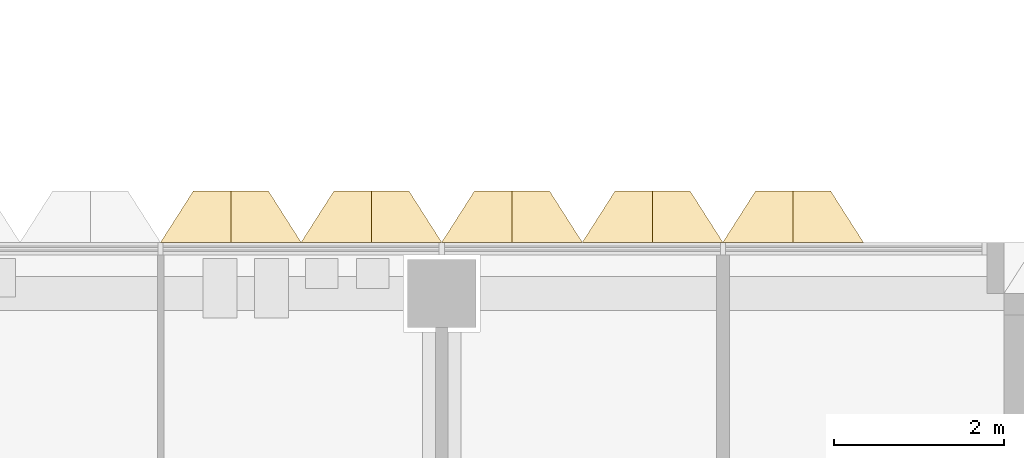
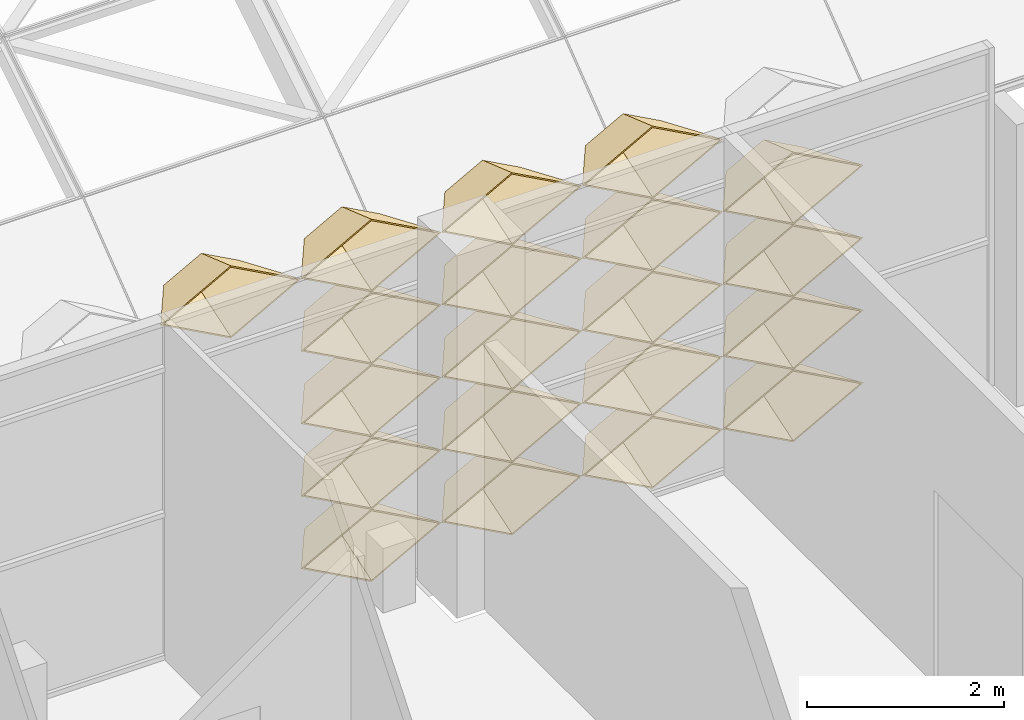
# One storey, part 67 of 85: 20 coverings.
"""IFC4 building model written with IfcOpenShell, lengths in metres."""

from ifc_helpers import new_model, entity, si_unit, direction, frame, origin, place, context, subcontext, project, spatial, material, layer, layer_set, type_object, element, save


model = new_model("IFC4")

# Units and contexts
model_context = context("Model", 3, precision=1e-05, world=origin(), true_north=direction((0.0, 1.0)))
body_context = subcontext(model_context, "Body", "Model", "MODEL_VIEW")
ifc_project = project(units=[si_unit("LENGTHUNIT", "METRE"), si_unit("AREAUNIT", "SQUARE_METRE"), si_unit("VOLUMEUNIT", "CUBIC_METRE"), si_unit("PLANEANGLEUNIT", "RADIAN"), si_unit("MASSUNIT", "GRAM", prefix="KILO")], contexts=[model_context])

# Site, building, storey
site_placement = place(None, origin())
site = spatial("IfcSite", under=ifc_project, at=site_placement, CompositionType="ELEMENT")
building_placement = place(site_placement, origin())
building = spatial("IfcBuilding", under=site, at=building_placement, Name="Lantern Court Research Institute", CompositionType="ELEMENT")
storey_placement = place(building_placement, frame((0.0, 0.0, 18.89990234375)))
storey = spatial("IfcBuildingStorey", under=building, at=storey_placement, Name="L04", CompositionType="ELEMENT", Elevation=18.89990234375)

# Coverings
ifc_material = material(Name="Anodised aluminium", Category="aluminium")
ifc_layer = layer(ifc_material, 0.01611328125)
ifc_layer_set = layer_set([ifc_layer], Name="Anodised aluminium")
covering_type = type_object("IfcCoveringType", Name="Fin cassette 1650 x 900 x 600 aluminium", PredefinedType="CLADDING", material=ifc_layer_set)
covering_1_placement = place(storey_placement, frame((65.175048828125, 23.699951171875, 0.4501953125), z_axis=(0.0, 1.0, 0.0), x_axis=(-1.0, 0.0, 0.0)))
cartesian_point_1 = entity("IfcCartesianPoint", [0.824951171875, 0.0])
cartesian_point_2 = entity("IfcCartesianPoint", [0.79150390625, 0.0])
cartesian_point_3 = entity("IfcCartesianPoint", [0.44189453125, 0.0])
cartesian_point_4 = entity("IfcCartesianPoint", [0.43359375, 0.0])
element("IfcCovering", 1, at=covering_1_placement, inside=storey, type_object=covering_type, Name="Fin cassette V5N-L04 1.40", PredefinedType="CLADDING", context=body_context, shape_type="SweptSolid", body=[
    entity("IfcExtrudedAreaSolidTapered", entity("IfcArbitraryProfileDefWithVoids", "AREA", None, entity("IfcPolyline", [cartesian_point_1, entity("IfcCartesianPoint", [0.0, 0.449951171875]), entity("IfcCartesianPoint", [-0.824951171875, 0.0]), entity("IfcCartesianPoint", [0.0, -0.449951171875]), cartesian_point_1]), [entity("IfcPolyline", [cartesian_point_2, entity("IfcCartesianPoint", [0.0, 0.431884765625]), entity("IfcCartesianPoint", [-0.79150390625, 0.0]), entity("IfcCartesianPoint", [0.0, -0.431884765625]), cartesian_point_2])]), entity("IfcAxis2Placement3D", entity("IfcCartesianPoint", [0.0, 0.0, 0.0])), entity("IfcDirection", [0.0, 0.0, 1.0]), 0.60009765625, entity("IfcArbitraryProfileDefWithVoids", "AREA", None, entity("IfcPolyline", [cartesian_point_3, entity("IfcCartesianPoint", [0.0, 0.240966796875]), entity("IfcCartesianPoint", [-0.44189453125, 0.0]), entity("IfcCartesianPoint", [0.0, -0.240966796875]), cartesian_point_3]), [entity("IfcPolyline", [cartesian_point_4, entity("IfcCartesianPoint", [0.0, 0.236572265625]), entity("IfcCartesianPoint", [-0.43359375, 0.0]), entity("IfcCartesianPoint", [0.0, -0.236572265625]), cartesian_point_4])])),
])
covering_2_placement = place(storey_placement, frame((66.824951171875, 23.699951171875, 0.4501953125), z_axis=(0.0, 1.0, 0.0), x_axis=(-1.0, 0.0, 0.0)))
cartesian_point_5 = entity("IfcCartesianPoint", [0.824951171875, 0.0])
cartesian_point_6 = entity("IfcCartesianPoint", [0.79150390625, 0.0])
cartesian_point_7 = entity("IfcCartesianPoint", [0.44189453125, 0.0])
cartesian_point_8 = entity("IfcCartesianPoint", [0.43359375, 0.0])
element("IfcCovering", 2, at=covering_2_placement, inside=storey, type_object=covering_type, Name="Fin cassette V5N-L04 1.41", PredefinedType="CLADDING", context=body_context, shape_type="SweptSolid", body=[
    entity("IfcExtrudedAreaSolidTapered", entity("IfcArbitraryProfileDefWithVoids", "AREA", None, entity("IfcPolyline", [cartesian_point_5, entity("IfcCartesianPoint", [0.0, 0.449951171875]), entity("IfcCartesianPoint", [-0.824951171875, 0.0]), entity("IfcCartesianPoint", [0.0, -0.449951171875]), cartesian_point_5]), [entity("IfcPolyline", [cartesian_point_6, entity("IfcCartesianPoint", [0.0, 0.431884765625]), entity("IfcCartesianPoint", [-0.79150390625, 0.0]), entity("IfcCartesianPoint", [0.0, -0.431884765625]), cartesian_point_6])]), entity("IfcAxis2Placement3D", entity("IfcCartesianPoint", [0.0, 0.0, 0.0])), entity("IfcDirection", [0.0, 0.0, 1.0]), 0.60009765625, entity("IfcArbitraryProfileDefWithVoids", "AREA", None, entity("IfcPolyline", [cartesian_point_7, entity("IfcCartesianPoint", [0.0, 0.240966796875]), entity("IfcCartesianPoint", [-0.44189453125, 0.0]), entity("IfcCartesianPoint", [0.0, -0.240966796875]), cartesian_point_7]), [entity("IfcPolyline", [cartesian_point_8, entity("IfcCartesianPoint", [0.0, 0.236572265625]), entity("IfcCartesianPoint", [-0.43359375, 0.0]), entity("IfcCartesianPoint", [0.0, -0.236572265625]), cartesian_point_8])])),
])
covering_3_placement = place(storey_placement, frame((68.47509765625, 23.699951171875, 0.4501953125), z_axis=(0.0, 1.0, 0.0), x_axis=(-1.0, 0.0, 0.0)))
cartesian_point_9 = entity("IfcCartesianPoint", [0.824951171875, 0.0])
cartesian_point_10 = entity("IfcCartesianPoint", [0.79150390625, 0.0])
cartesian_point_11 = entity("IfcCartesianPoint", [0.44189453125, 0.0])
cartesian_point_12 = entity("IfcCartesianPoint", [0.43359375, 0.0])
element("IfcCovering", 3, at=covering_3_placement, inside=storey, type_object=covering_type, Name="Fin cassette V5N-L04 1.42", PredefinedType="CLADDING", context=body_context, shape_type="SweptSolid", body=[
    entity("IfcExtrudedAreaSolidTapered", entity("IfcArbitraryProfileDefWithVoids", "AREA", None, entity("IfcPolyline", [cartesian_point_9, entity("IfcCartesianPoint", [0.0, 0.449951171875]), entity("IfcCartesianPoint", [-0.824951171875, 0.0]), entity("IfcCartesianPoint", [0.0, -0.449951171875]), cartesian_point_9]), [entity("IfcPolyline", [cartesian_point_10, entity("IfcCartesianPoint", [0.0, 0.431884765625]), entity("IfcCartesianPoint", [-0.79150390625, 0.0]), entity("IfcCartesianPoint", [0.0, -0.431884765625]), cartesian_point_10])]), entity("IfcAxis2Placement3D", entity("IfcCartesianPoint", [0.0, 0.0, 0.0])), entity("IfcDirection", [0.0, 0.0, 1.0]), 0.60009765625, entity("IfcArbitraryProfileDefWithVoids", "AREA", None, entity("IfcPolyline", [cartesian_point_11, entity("IfcCartesianPoint", [0.0, 0.240966796875]), entity("IfcCartesianPoint", [-0.44189453125, 0.0]), entity("IfcCartesianPoint", [0.0, -0.240966796875]), cartesian_point_11]), [entity("IfcPolyline", [cartesian_point_12, entity("IfcCartesianPoint", [0.0, 0.236572265625]), entity("IfcCartesianPoint", [-0.43359375, 0.0]), entity("IfcCartesianPoint", [0.0, -0.236572265625]), cartesian_point_12])])),
])
covering_4_placement = place(storey_placement, frame((70.125, 23.699951171875, 0.4501953125), z_axis=(0.0, 1.0, 0.0), x_axis=(-1.0, 0.0, 0.0)))
cartesian_point_13 = entity("IfcCartesianPoint", [0.824951171875, 0.0])
cartesian_point_14 = entity("IfcCartesianPoint", [0.79150390625, 0.0])
cartesian_point_15 = entity("IfcCartesianPoint", [0.44189453125, 0.0])
cartesian_point_16 = entity("IfcCartesianPoint", [0.43359375, 0.0])
element("IfcCovering", 4, at=covering_4_placement, inside=storey, type_object=covering_type, Name="Fin cassette V5N-L04 1.43", PredefinedType="CLADDING", context=body_context, shape_type="SweptSolid", body=[
    entity("IfcExtrudedAreaSolidTapered", entity("IfcArbitraryProfileDefWithVoids", "AREA", None, entity("IfcPolyline", [cartesian_point_13, entity("IfcCartesianPoint", [0.0, 0.449951171875]), entity("IfcCartesianPoint", [-0.824951171875, 0.0]), entity("IfcCartesianPoint", [0.0, -0.449951171875]), cartesian_point_13]), [entity("IfcPolyline", [cartesian_point_14, entity("IfcCartesianPoint", [0.0, 0.431884765625]), entity("IfcCartesianPoint", [-0.79150390625, 0.0]), entity("IfcCartesianPoint", [0.0, -0.431884765625]), cartesian_point_14])]), entity("IfcAxis2Placement3D", entity("IfcCartesianPoint", [0.0, 0.0, 0.0])), entity("IfcDirection", [0.0, 0.0, 1.0]), 0.60009765625, entity("IfcArbitraryProfileDefWithVoids", "AREA", None, entity("IfcPolyline", [cartesian_point_15, entity("IfcCartesianPoint", [0.0, 0.240966796875]), entity("IfcCartesianPoint", [-0.44189453125, 0.0]), entity("IfcCartesianPoint", [0.0, -0.240966796875]), cartesian_point_15]), [entity("IfcPolyline", [cartesian_point_16, entity("IfcCartesianPoint", [0.0, 0.236572265625]), entity("IfcCartesianPoint", [-0.43359375, 0.0]), entity("IfcCartesianPoint", [0.0, -0.236572265625]), cartesian_point_16])])),
])
covering_5_placement = place(storey_placement, frame((65.175048828125, 23.699951171875, 1.35009765625), z_axis=(0.0, 1.0, 0.0), x_axis=(-1.0, 0.0, 0.0)))
cartesian_point_17 = entity("IfcCartesianPoint", [0.824951171875, 0.0])
cartesian_point_18 = entity("IfcCartesianPoint", [0.79150390625, 0.0])
cartesian_point_19 = entity("IfcCartesianPoint", [0.44189453125, 0.0])
cartesian_point_20 = entity("IfcCartesianPoint", [0.43359375, 0.0])
element("IfcCovering", 5, at=covering_5_placement, inside=storey, type_object=covering_type, Name="Fin cassette V5N-L04 2.40", PredefinedType="CLADDING", context=body_context, shape_type="SweptSolid", body=[
    entity("IfcExtrudedAreaSolidTapered", entity("IfcArbitraryProfileDefWithVoids", "AREA", None, entity("IfcPolyline", [cartesian_point_17, entity("IfcCartesianPoint", [0.0, 0.449951171875]), entity("IfcCartesianPoint", [-0.824951171875, 0.0]), entity("IfcCartesianPoint", [0.0, -0.449951171875]), cartesian_point_17]), [entity("IfcPolyline", [cartesian_point_18, entity("IfcCartesianPoint", [0.0, 0.431884765625]), entity("IfcCartesianPoint", [-0.79150390625, 0.0]), entity("IfcCartesianPoint", [0.0, -0.431884765625]), cartesian_point_18])]), entity("IfcAxis2Placement3D", entity("IfcCartesianPoint", [0.0, 0.0, 0.0])), entity("IfcDirection", [0.0, 0.0, 1.0]), 0.60009765625, entity("IfcArbitraryProfileDefWithVoids", "AREA", None, entity("IfcPolyline", [cartesian_point_19, entity("IfcCartesianPoint", [0.0, 0.240966796875]), entity("IfcCartesianPoint", [-0.44189453125, 0.0]), entity("IfcCartesianPoint", [0.0, -0.240966796875]), cartesian_point_19]), [entity("IfcPolyline", [cartesian_point_20, entity("IfcCartesianPoint", [0.0, 0.236572265625]), entity("IfcCartesianPoint", [-0.43359375, 0.0]), entity("IfcCartesianPoint", [0.0, -0.236572265625]), cartesian_point_20])])),
])
covering_6_placement = place(storey_placement, frame((66.824951171875, 23.699951171875, 1.35009765625), z_axis=(0.0, 1.0, 0.0), x_axis=(-1.0, 0.0, 0.0)))
cartesian_point_21 = entity("IfcCartesianPoint", [0.824951171875, 0.0])
cartesian_point_22 = entity("IfcCartesianPoint", [0.79150390625, 0.0])
cartesian_point_23 = entity("IfcCartesianPoint", [0.44189453125, 0.0])
cartesian_point_24 = entity("IfcCartesianPoint", [0.43359375, 0.0])
element("IfcCovering", 6, at=covering_6_placement, inside=storey, type_object=covering_type, Name="Fin cassette V5N-L04 2.41", PredefinedType="CLADDING", context=body_context, shape_type="SweptSolid", body=[
    entity("IfcExtrudedAreaSolidTapered", entity("IfcArbitraryProfileDefWithVoids", "AREA", None, entity("IfcPolyline", [cartesian_point_21, entity("IfcCartesianPoint", [0.0, 0.449951171875]), entity("IfcCartesianPoint", [-0.824951171875, 0.0]), entity("IfcCartesianPoint", [0.0, -0.449951171875]), cartesian_point_21]), [entity("IfcPolyline", [cartesian_point_22, entity("IfcCartesianPoint", [0.0, 0.431884765625]), entity("IfcCartesianPoint", [-0.79150390625, 0.0]), entity("IfcCartesianPoint", [0.0, -0.431884765625]), cartesian_point_22])]), entity("IfcAxis2Placement3D", entity("IfcCartesianPoint", [0.0, 0.0, 0.0])), entity("IfcDirection", [0.0, 0.0, 1.0]), 0.60009765625, entity("IfcArbitraryProfileDefWithVoids", "AREA", None, entity("IfcPolyline", [cartesian_point_23, entity("IfcCartesianPoint", [0.0, 0.240966796875]), entity("IfcCartesianPoint", [-0.44189453125, 0.0]), entity("IfcCartesianPoint", [0.0, -0.240966796875]), cartesian_point_23]), [entity("IfcPolyline", [cartesian_point_24, entity("IfcCartesianPoint", [0.0, 0.236572265625]), entity("IfcCartesianPoint", [-0.43359375, 0.0]), entity("IfcCartesianPoint", [0.0, -0.236572265625]), cartesian_point_24])])),
])
covering_7_placement = place(storey_placement, frame((68.47509765625, 23.699951171875, 1.35009765625), z_axis=(0.0, 1.0, 0.0), x_axis=(-1.0, 0.0, 0.0)))
cartesian_point_25 = entity("IfcCartesianPoint", [0.824951171875, 0.0])
cartesian_point_26 = entity("IfcCartesianPoint", [0.79150390625, 0.0])
cartesian_point_27 = entity("IfcCartesianPoint", [0.44189453125, 0.0])
cartesian_point_28 = entity("IfcCartesianPoint", [0.43359375, 0.0])
element("IfcCovering", 7, at=covering_7_placement, inside=storey, type_object=covering_type, Name="Fin cassette V5N-L04 2.42", PredefinedType="CLADDING", context=body_context, shape_type="SweptSolid", body=[
    entity("IfcExtrudedAreaSolidTapered", entity("IfcArbitraryProfileDefWithVoids", "AREA", None, entity("IfcPolyline", [cartesian_point_25, entity("IfcCartesianPoint", [0.0, 0.449951171875]), entity("IfcCartesianPoint", [-0.824951171875, 0.0]), entity("IfcCartesianPoint", [0.0, -0.449951171875]), cartesian_point_25]), [entity("IfcPolyline", [cartesian_point_26, entity("IfcCartesianPoint", [0.0, 0.431884765625]), entity("IfcCartesianPoint", [-0.79150390625, 0.0]), entity("IfcCartesianPoint", [0.0, -0.431884765625]), cartesian_point_26])]), entity("IfcAxis2Placement3D", entity("IfcCartesianPoint", [0.0, 0.0, 0.0])), entity("IfcDirection", [0.0, 0.0, 1.0]), 0.60009765625, entity("IfcArbitraryProfileDefWithVoids", "AREA", None, entity("IfcPolyline", [cartesian_point_27, entity("IfcCartesianPoint", [0.0, 0.240966796875]), entity("IfcCartesianPoint", [-0.44189453125, 0.0]), entity("IfcCartesianPoint", [0.0, -0.240966796875]), cartesian_point_27]), [entity("IfcPolyline", [cartesian_point_28, entity("IfcCartesianPoint", [0.0, 0.236572265625]), entity("IfcCartesianPoint", [-0.43359375, 0.0]), entity("IfcCartesianPoint", [0.0, -0.236572265625]), cartesian_point_28])])),
])
covering_8_placement = place(storey_placement, frame((70.125, 23.699951171875, 1.35009765625), z_axis=(0.0, 1.0, 0.0), x_axis=(-1.0, 0.0, 0.0)))
cartesian_point_29 = entity("IfcCartesianPoint", [0.824951171875, 0.0])
cartesian_point_30 = entity("IfcCartesianPoint", [0.79150390625, 0.0])
cartesian_point_31 = entity("IfcCartesianPoint", [0.44189453125, 0.0])
cartesian_point_32 = entity("IfcCartesianPoint", [0.43359375, 0.0])
element("IfcCovering", 8, at=covering_8_placement, inside=storey, type_object=covering_type, Name="Fin cassette V5N-L04 2.43", PredefinedType="CLADDING", context=body_context, shape_type="SweptSolid", body=[
    entity("IfcExtrudedAreaSolidTapered", entity("IfcArbitraryProfileDefWithVoids", "AREA", None, entity("IfcPolyline", [cartesian_point_29, entity("IfcCartesianPoint", [0.0, 0.449951171875]), entity("IfcCartesianPoint", [-0.824951171875, 0.0]), entity("IfcCartesianPoint", [0.0, -0.449951171875]), cartesian_point_29]), [entity("IfcPolyline", [cartesian_point_30, entity("IfcCartesianPoint", [0.0, 0.431884765625]), entity("IfcCartesianPoint", [-0.79150390625, 0.0]), entity("IfcCartesianPoint", [0.0, -0.431884765625]), cartesian_point_30])]), entity("IfcAxis2Placement3D", entity("IfcCartesianPoint", [0.0, 0.0, 0.0])), entity("IfcDirection", [0.0, 0.0, 1.0]), 0.60009765625, entity("IfcArbitraryProfileDefWithVoids", "AREA", None, entity("IfcPolyline", [cartesian_point_31, entity("IfcCartesianPoint", [0.0, 0.240966796875]), entity("IfcCartesianPoint", [-0.44189453125, 0.0]), entity("IfcCartesianPoint", [0.0, -0.240966796875]), cartesian_point_31]), [entity("IfcPolyline", [cartesian_point_32, entity("IfcCartesianPoint", [0.0, 0.236572265625]), entity("IfcCartesianPoint", [-0.43359375, 0.0]), entity("IfcCartesianPoint", [0.0, -0.236572265625]), cartesian_point_32])])),
])
covering_9_placement = place(storey_placement, frame((65.175048828125, 23.699951171875, 2.25), z_axis=(0.0, 1.0, 0.0), x_axis=(-1.0, 0.0, 0.0)))
cartesian_point_33 = entity("IfcCartesianPoint", [0.824951171875, 0.0])
cartesian_point_34 = entity("IfcCartesianPoint", [0.79150390625, 0.0])
cartesian_point_35 = entity("IfcCartesianPoint", [0.44189453125, 0.0])
cartesian_point_36 = entity("IfcCartesianPoint", [0.43359375, 0.0])
element("IfcCovering", 9, at=covering_9_placement, inside=storey, type_object=covering_type, Name="Fin cassette V5N-L04 3.40", PredefinedType="CLADDING", context=body_context, shape_type="SweptSolid", body=[
    entity("IfcExtrudedAreaSolidTapered", entity("IfcArbitraryProfileDefWithVoids", "AREA", None, entity("IfcPolyline", [cartesian_point_33, entity("IfcCartesianPoint", [0.0, 0.449951171875]), entity("IfcCartesianPoint", [-0.824951171875, 0.0]), entity("IfcCartesianPoint", [0.0, -0.449951171875]), cartesian_point_33]), [entity("IfcPolyline", [cartesian_point_34, entity("IfcCartesianPoint", [0.0, 0.431884765625]), entity("IfcCartesianPoint", [-0.79150390625, 0.0]), entity("IfcCartesianPoint", [0.0, -0.431884765625]), cartesian_point_34])]), entity("IfcAxis2Placement3D", entity("IfcCartesianPoint", [0.0, 0.0, 0.0])), entity("IfcDirection", [0.0, 0.0, 1.0]), 0.60009765625, entity("IfcArbitraryProfileDefWithVoids", "AREA", None, entity("IfcPolyline", [cartesian_point_35, entity("IfcCartesianPoint", [0.0, 0.240966796875]), entity("IfcCartesianPoint", [-0.44189453125, 0.0]), entity("IfcCartesianPoint", [0.0, -0.240966796875]), cartesian_point_35]), [entity("IfcPolyline", [cartesian_point_36, entity("IfcCartesianPoint", [0.0, 0.236572265625]), entity("IfcCartesianPoint", [-0.43359375, 0.0]), entity("IfcCartesianPoint", [0.0, -0.236572265625]), cartesian_point_36])])),
])
covering_10_placement = place(storey_placement, frame((66.824951171875, 23.699951171875, 2.25), z_axis=(0.0, 1.0, 0.0), x_axis=(-1.0, 0.0, 0.0)))
cartesian_point_37 = entity("IfcCartesianPoint", [0.824951171875, 0.0])
cartesian_point_38 = entity("IfcCartesianPoint", [0.79150390625, 0.0])
cartesian_point_39 = entity("IfcCartesianPoint", [0.44189453125, 0.0])
cartesian_point_40 = entity("IfcCartesianPoint", [0.43359375, 0.0])
element("IfcCovering", 10, at=covering_10_placement, inside=storey, type_object=covering_type, Name="Fin cassette V5N-L04 3.41", PredefinedType="CLADDING", context=body_context, shape_type="SweptSolid", body=[
    entity("IfcExtrudedAreaSolidTapered", entity("IfcArbitraryProfileDefWithVoids", "AREA", None, entity("IfcPolyline", [cartesian_point_37, entity("IfcCartesianPoint", [0.0, 0.449951171875]), entity("IfcCartesianPoint", [-0.824951171875, 0.0]), entity("IfcCartesianPoint", [0.0, -0.449951171875]), cartesian_point_37]), [entity("IfcPolyline", [cartesian_point_38, entity("IfcCartesianPoint", [0.0, 0.431884765625]), entity("IfcCartesianPoint", [-0.79150390625, 0.0]), entity("IfcCartesianPoint", [0.0, -0.431884765625]), cartesian_point_38])]), entity("IfcAxis2Placement3D", entity("IfcCartesianPoint", [0.0, 0.0, 0.0])), entity("IfcDirection", [0.0, 0.0, 1.0]), 0.60009765625, entity("IfcArbitraryProfileDefWithVoids", "AREA", None, entity("IfcPolyline", [cartesian_point_39, entity("IfcCartesianPoint", [0.0, 0.240966796875]), entity("IfcCartesianPoint", [-0.44189453125, 0.0]), entity("IfcCartesianPoint", [0.0, -0.240966796875]), cartesian_point_39]), [entity("IfcPolyline", [cartesian_point_40, entity("IfcCartesianPoint", [0.0, 0.236572265625]), entity("IfcCartesianPoint", [-0.43359375, 0.0]), entity("IfcCartesianPoint", [0.0, -0.236572265625]), cartesian_point_40])])),
])
covering_11_placement = place(storey_placement, frame((68.47509765625, 23.699951171875, 2.25), z_axis=(0.0, 1.0, 0.0), x_axis=(-1.0, 0.0, 0.0)))
cartesian_point_41 = entity("IfcCartesianPoint", [0.824951171875, 0.0])
cartesian_point_42 = entity("IfcCartesianPoint", [0.79150390625, 0.0])
cartesian_point_43 = entity("IfcCartesianPoint", [0.44189453125, 0.0])
cartesian_point_44 = entity("IfcCartesianPoint", [0.43359375, 0.0])
element("IfcCovering", 11, at=covering_11_placement, inside=storey, type_object=covering_type, Name="Fin cassette V5N-L04 3.42", PredefinedType="CLADDING", context=body_context, shape_type="SweptSolid", body=[
    entity("IfcExtrudedAreaSolidTapered", entity("IfcArbitraryProfileDefWithVoids", "AREA", None, entity("IfcPolyline", [cartesian_point_41, entity("IfcCartesianPoint", [0.0, 0.449951171875]), entity("IfcCartesianPoint", [-0.824951171875, 0.0]), entity("IfcCartesianPoint", [0.0, -0.449951171875]), cartesian_point_41]), [entity("IfcPolyline", [cartesian_point_42, entity("IfcCartesianPoint", [0.0, 0.431884765625]), entity("IfcCartesianPoint", [-0.79150390625, 0.0]), entity("IfcCartesianPoint", [0.0, -0.431884765625]), cartesian_point_42])]), entity("IfcAxis2Placement3D", entity("IfcCartesianPoint", [0.0, 0.0, 0.0])), entity("IfcDirection", [0.0, 0.0, 1.0]), 0.60009765625, entity("IfcArbitraryProfileDefWithVoids", "AREA", None, entity("IfcPolyline", [cartesian_point_43, entity("IfcCartesianPoint", [0.0, 0.240966796875]), entity("IfcCartesianPoint", [-0.44189453125, 0.0]), entity("IfcCartesianPoint", [0.0, -0.240966796875]), cartesian_point_43]), [entity("IfcPolyline", [cartesian_point_44, entity("IfcCartesianPoint", [0.0, 0.236572265625]), entity("IfcCartesianPoint", [-0.43359375, 0.0]), entity("IfcCartesianPoint", [0.0, -0.236572265625]), cartesian_point_44])])),
])
covering_12_placement = place(storey_placement, frame((70.125, 23.699951171875, 2.25), z_axis=(0.0, 1.0, 0.0), x_axis=(-1.0, 0.0, 0.0)))
cartesian_point_45 = entity("IfcCartesianPoint", [0.824951171875, 0.0])
cartesian_point_46 = entity("IfcCartesianPoint", [0.79150390625, 0.0])
cartesian_point_47 = entity("IfcCartesianPoint", [0.44189453125, 0.0])
cartesian_point_48 = entity("IfcCartesianPoint", [0.43359375, 0.0])
element("IfcCovering", 12, at=covering_12_placement, inside=storey, type_object=covering_type, Name="Fin cassette V5N-L04 3.43", PredefinedType="CLADDING", context=body_context, shape_type="SweptSolid", body=[
    entity("IfcExtrudedAreaSolidTapered", entity("IfcArbitraryProfileDefWithVoids", "AREA", None, entity("IfcPolyline", [cartesian_point_45, entity("IfcCartesianPoint", [0.0, 0.449951171875]), entity("IfcCartesianPoint", [-0.824951171875, 0.0]), entity("IfcCartesianPoint", [0.0, -0.449951171875]), cartesian_point_45]), [entity("IfcPolyline", [cartesian_point_46, entity("IfcCartesianPoint", [0.0, 0.431884765625]), entity("IfcCartesianPoint", [-0.79150390625, 0.0]), entity("IfcCartesianPoint", [0.0, -0.431884765625]), cartesian_point_46])]), entity("IfcAxis2Placement3D", entity("IfcCartesianPoint", [0.0, 0.0, 0.0])), entity("IfcDirection", [0.0, 0.0, 1.0]), 0.60009765625, entity("IfcArbitraryProfileDefWithVoids", "AREA", None, entity("IfcPolyline", [cartesian_point_47, entity("IfcCartesianPoint", [0.0, 0.240966796875]), entity("IfcCartesianPoint", [-0.44189453125, 0.0]), entity("IfcCartesianPoint", [0.0, -0.240966796875]), cartesian_point_47]), [entity("IfcPolyline", [cartesian_point_48, entity("IfcCartesianPoint", [0.0, 0.236572265625]), entity("IfcCartesianPoint", [-0.43359375, 0.0]), entity("IfcCartesianPoint", [0.0, -0.236572265625]), cartesian_point_48])])),
])
covering_13_placement = place(storey_placement, frame((65.175048828125, 23.699951171875, 3.150146484375), z_axis=(0.0, 1.0, 0.0), x_axis=(-1.0, 0.0, 0.0)))
cartesian_point_49 = entity("IfcCartesianPoint", [0.824951171875, 0.0])
cartesian_point_50 = entity("IfcCartesianPoint", [0.79150390625, 0.0])
cartesian_point_51 = entity("IfcCartesianPoint", [0.44189453125, 0.0])
cartesian_point_52 = entity("IfcCartesianPoint", [0.43359375, 0.0])
element("IfcCovering", 13, at=covering_13_placement, inside=storey, type_object=covering_type, Name="Fin cassette V5N-L04 4.40", PredefinedType="CLADDING", context=body_context, shape_type="SweptSolid", body=[
    entity("IfcExtrudedAreaSolidTapered", entity("IfcArbitraryProfileDefWithVoids", "AREA", None, entity("IfcPolyline", [cartesian_point_49, entity("IfcCartesianPoint", [0.0, 0.449951171875]), entity("IfcCartesianPoint", [-0.824951171875, 0.0]), entity("IfcCartesianPoint", [0.0, -0.449951171875]), cartesian_point_49]), [entity("IfcPolyline", [cartesian_point_50, entity("IfcCartesianPoint", [0.0, 0.431884765625]), entity("IfcCartesianPoint", [-0.79150390625, 0.0]), entity("IfcCartesianPoint", [0.0, -0.431884765625]), cartesian_point_50])]), entity("IfcAxis2Placement3D", entity("IfcCartesianPoint", [0.0, 0.0, 0.0])), entity("IfcDirection", [0.0, 0.0, 1.0]), 0.60009765625, entity("IfcArbitraryProfileDefWithVoids", "AREA", None, entity("IfcPolyline", [cartesian_point_51, entity("IfcCartesianPoint", [0.0, 0.240966796875]), entity("IfcCartesianPoint", [-0.44189453125, 0.0]), entity("IfcCartesianPoint", [0.0, -0.240966796875]), cartesian_point_51]), [entity("IfcPolyline", [cartesian_point_52, entity("IfcCartesianPoint", [0.0, 0.236572265625]), entity("IfcCartesianPoint", [-0.43359375, 0.0]), entity("IfcCartesianPoint", [0.0, -0.236572265625]), cartesian_point_52])])),
])
covering_14_placement = place(storey_placement, frame((66.824951171875, 23.699951171875, 3.150146484375), z_axis=(0.0, 1.0, 0.0), x_axis=(-1.0, 0.0, 0.0)))
cartesian_point_53 = entity("IfcCartesianPoint", [0.824951171875, 0.0])
cartesian_point_54 = entity("IfcCartesianPoint", [0.79150390625, 0.0])
cartesian_point_55 = entity("IfcCartesianPoint", [0.44189453125, 0.0])
cartesian_point_56 = entity("IfcCartesianPoint", [0.43359375, 0.0])
element("IfcCovering", 14, at=covering_14_placement, inside=storey, type_object=covering_type, Name="Fin cassette V5N-L04 4.41", PredefinedType="CLADDING", context=body_context, shape_type="SweptSolid", body=[
    entity("IfcExtrudedAreaSolidTapered", entity("IfcArbitraryProfileDefWithVoids", "AREA", None, entity("IfcPolyline", [cartesian_point_53, entity("IfcCartesianPoint", [0.0, 0.449951171875]), entity("IfcCartesianPoint", [-0.824951171875, 0.0]), entity("IfcCartesianPoint", [0.0, -0.449951171875]), cartesian_point_53]), [entity("IfcPolyline", [cartesian_point_54, entity("IfcCartesianPoint", [0.0, 0.431884765625]), entity("IfcCartesianPoint", [-0.79150390625, 0.0]), entity("IfcCartesianPoint", [0.0, -0.431884765625]), cartesian_point_54])]), entity("IfcAxis2Placement3D", entity("IfcCartesianPoint", [0.0, 0.0, 0.0])), entity("IfcDirection", [0.0, 0.0, 1.0]), 0.60009765625, entity("IfcArbitraryProfileDefWithVoids", "AREA", None, entity("IfcPolyline", [cartesian_point_55, entity("IfcCartesianPoint", [0.0, 0.240966796875]), entity("IfcCartesianPoint", [-0.44189453125, 0.0]), entity("IfcCartesianPoint", [0.0, -0.240966796875]), cartesian_point_55]), [entity("IfcPolyline", [cartesian_point_56, entity("IfcCartesianPoint", [0.0, 0.236572265625]), entity("IfcCartesianPoint", [-0.43359375, 0.0]), entity("IfcCartesianPoint", [0.0, -0.236572265625]), cartesian_point_56])])),
])
covering_15_placement = place(storey_placement, frame((68.47509765625, 23.699951171875, 3.150146484375), z_axis=(0.0, 1.0, 0.0), x_axis=(-1.0, 0.0, 0.0)))
cartesian_point_57 = entity("IfcCartesianPoint", [0.824951171875, 0.0])
cartesian_point_58 = entity("IfcCartesianPoint", [0.79150390625, 0.0])
cartesian_point_59 = entity("IfcCartesianPoint", [0.44189453125, 0.0])
cartesian_point_60 = entity("IfcCartesianPoint", [0.43359375, 0.0])
element("IfcCovering", 15, at=covering_15_placement, inside=storey, type_object=covering_type, Name="Fin cassette V5N-L04 4.42", PredefinedType="CLADDING", context=body_context, shape_type="SweptSolid", body=[
    entity("IfcExtrudedAreaSolidTapered", entity("IfcArbitraryProfileDefWithVoids", "AREA", None, entity("IfcPolyline", [cartesian_point_57, entity("IfcCartesianPoint", [0.0, 0.449951171875]), entity("IfcCartesianPoint", [-0.824951171875, 0.0]), entity("IfcCartesianPoint", [0.0, -0.449951171875]), cartesian_point_57]), [entity("IfcPolyline", [cartesian_point_58, entity("IfcCartesianPoint", [0.0, 0.431884765625]), entity("IfcCartesianPoint", [-0.79150390625, 0.0]), entity("IfcCartesianPoint", [0.0, -0.431884765625]), cartesian_point_58])]), entity("IfcAxis2Placement3D", entity("IfcCartesianPoint", [0.0, 0.0, 0.0])), entity("IfcDirection", [0.0, 0.0, 1.0]), 0.60009765625, entity("IfcArbitraryProfileDefWithVoids", "AREA", None, entity("IfcPolyline", [cartesian_point_59, entity("IfcCartesianPoint", [0.0, 0.240966796875]), entity("IfcCartesianPoint", [-0.44189453125, 0.0]), entity("IfcCartesianPoint", [0.0, -0.240966796875]), cartesian_point_59]), [entity("IfcPolyline", [cartesian_point_60, entity("IfcCartesianPoint", [0.0, 0.236572265625]), entity("IfcCartesianPoint", [-0.43359375, 0.0]), entity("IfcCartesianPoint", [0.0, -0.236572265625]), cartesian_point_60])])),
])
covering_16_placement = place(storey_placement, frame((70.125, 23.699951171875, 3.150146484375), z_axis=(0.0, 1.0, 0.0), x_axis=(-1.0, 0.0, 0.0)))
cartesian_point_61 = entity("IfcCartesianPoint", [0.824951171875, 0.0])
cartesian_point_62 = entity("IfcCartesianPoint", [0.79150390625, 0.0])
cartesian_point_63 = entity("IfcCartesianPoint", [0.44189453125, 0.0])
cartesian_point_64 = entity("IfcCartesianPoint", [0.43359375, 0.0])
element("IfcCovering", 16, at=covering_16_placement, inside=storey, type_object=covering_type, Name="Fin cassette V5N-L04 4.43", PredefinedType="CLADDING", context=body_context, shape_type="SweptSolid", body=[
    entity("IfcExtrudedAreaSolidTapered", entity("IfcArbitraryProfileDefWithVoids", "AREA", None, entity("IfcPolyline", [cartesian_point_61, entity("IfcCartesianPoint", [0.0, 0.449951171875]), entity("IfcCartesianPoint", [-0.824951171875, 0.0]), entity("IfcCartesianPoint", [0.0, -0.449951171875]), cartesian_point_61]), [entity("IfcPolyline", [cartesian_point_62, entity("IfcCartesianPoint", [0.0, 0.431884765625]), entity("IfcCartesianPoint", [-0.79150390625, 0.0]), entity("IfcCartesianPoint", [0.0, -0.431884765625]), cartesian_point_62])]), entity("IfcAxis2Placement3D", entity("IfcCartesianPoint", [0.0, 0.0, 0.0])), entity("IfcDirection", [0.0, 0.0, 1.0]), 0.60009765625, entity("IfcArbitraryProfileDefWithVoids", "AREA", None, entity("IfcPolyline", [cartesian_point_63, entity("IfcCartesianPoint", [0.0, 0.240966796875]), entity("IfcCartesianPoint", [-0.44189453125, 0.0]), entity("IfcCartesianPoint", [0.0, -0.240966796875]), cartesian_point_63]), [entity("IfcPolyline", [cartesian_point_64, entity("IfcCartesianPoint", [0.0, 0.236572265625]), entity("IfcCartesianPoint", [-0.43359375, 0.0]), entity("IfcCartesianPoint", [0.0, -0.236572265625]), cartesian_point_64])])),
])
covering_17_placement = place(storey_placement, frame((63.52490234375, 23.699951171875, 4.050048828125), z_axis=(0.0, 1.0, 0.0), x_axis=(-1.0, 0.0, 0.0)))
cartesian_point_65 = entity("IfcCartesianPoint", [0.824951171875, 0.0])
cartesian_point_66 = entity("IfcCartesianPoint", [0.79150390625, 0.0])
cartesian_point_67 = entity("IfcCartesianPoint", [0.44189453125, 0.0])
cartesian_point_68 = entity("IfcCartesianPoint", [0.43359375, 0.0])
element("IfcCovering", 17, at=covering_17_placement, inside=storey, type_object=covering_type, Name="Fin cassette V5N-L04 5.39", PredefinedType="CLADDING", context=body_context, shape_type="SweptSolid", body=[
    entity("IfcExtrudedAreaSolidTapered", entity("IfcArbitraryProfileDefWithVoids", "AREA", None, entity("IfcPolyline", [cartesian_point_65, entity("IfcCartesianPoint", [0.0, 0.449951171875]), entity("IfcCartesianPoint", [-0.824951171875, 0.0]), entity("IfcCartesianPoint", [0.0, -0.449951171875]), cartesian_point_65]), [entity("IfcPolyline", [cartesian_point_66, entity("IfcCartesianPoint", [0.0, 0.431884765625]), entity("IfcCartesianPoint", [-0.79150390625, 0.0]), entity("IfcCartesianPoint", [0.0, -0.431884765625]), cartesian_point_66])]), entity("IfcAxis2Placement3D", entity("IfcCartesianPoint", [0.0, 0.0, 0.0])), entity("IfcDirection", [0.0, 0.0, 1.0]), 0.60009765625, entity("IfcArbitraryProfileDefWithVoids", "AREA", None, entity("IfcPolyline", [cartesian_point_67, entity("IfcCartesianPoint", [0.0, 0.240966796875]), entity("IfcCartesianPoint", [-0.44189453125, 0.0]), entity("IfcCartesianPoint", [0.0, -0.240966796875]), cartesian_point_67]), [entity("IfcPolyline", [cartesian_point_68, entity("IfcCartesianPoint", [0.0, 0.236572265625]), entity("IfcCartesianPoint", [-0.43359375, 0.0]), entity("IfcCartesianPoint", [0.0, -0.236572265625]), cartesian_point_68])])),
])
covering_18_placement = place(storey_placement, frame((65.175048828125, 23.699951171875, 4.050048828125), z_axis=(0.0, 1.0, 0.0), x_axis=(-1.0, 0.0, 0.0)))
cartesian_point_69 = entity("IfcCartesianPoint", [0.824951171875, 0.0])
cartesian_point_70 = entity("IfcCartesianPoint", [0.79150390625, 0.0])
cartesian_point_71 = entity("IfcCartesianPoint", [0.44189453125, 0.0])
cartesian_point_72 = entity("IfcCartesianPoint", [0.43359375, 0.0])
element("IfcCovering", 18, at=covering_18_placement, inside=storey, type_object=covering_type, Name="Fin cassette V5N-L04 5.40", PredefinedType="CLADDING", context=body_context, shape_type="SweptSolid", body=[
    entity("IfcExtrudedAreaSolidTapered", entity("IfcArbitraryProfileDefWithVoids", "AREA", None, entity("IfcPolyline", [cartesian_point_69, entity("IfcCartesianPoint", [0.0, 0.449951171875]), entity("IfcCartesianPoint", [-0.824951171875, 0.0]), entity("IfcCartesianPoint", [0.0, -0.449951171875]), cartesian_point_69]), [entity("IfcPolyline", [cartesian_point_70, entity("IfcCartesianPoint", [0.0, 0.431884765625]), entity("IfcCartesianPoint", [-0.79150390625, 0.0]), entity("IfcCartesianPoint", [0.0, -0.431884765625]), cartesian_point_70])]), entity("IfcAxis2Placement3D", entity("IfcCartesianPoint", [0.0, 0.0, 0.0])), entity("IfcDirection", [0.0, 0.0, 1.0]), 0.60009765625, entity("IfcArbitraryProfileDefWithVoids", "AREA", None, entity("IfcPolyline", [cartesian_point_71, entity("IfcCartesianPoint", [0.0, 0.240966796875]), entity("IfcCartesianPoint", [-0.44189453125, 0.0]), entity("IfcCartesianPoint", [0.0, -0.240966796875]), cartesian_point_71]), [entity("IfcPolyline", [cartesian_point_72, entity("IfcCartesianPoint", [0.0, 0.236572265625]), entity("IfcCartesianPoint", [-0.43359375, 0.0]), entity("IfcCartesianPoint", [0.0, -0.236572265625]), cartesian_point_72])])),
])
covering_19_placement = place(storey_placement, frame((66.824951171875, 23.699951171875, 4.050048828125), z_axis=(0.0, 1.0, 0.0), x_axis=(-1.0, 0.0, 0.0)))
cartesian_point_73 = entity("IfcCartesianPoint", [0.824951171875, 0.0])
cartesian_point_74 = entity("IfcCartesianPoint", [0.79150390625, 0.0])
cartesian_point_75 = entity("IfcCartesianPoint", [0.44189453125, 0.0])
cartesian_point_76 = entity("IfcCartesianPoint", [0.43359375, 0.0])
element("IfcCovering", 19, at=covering_19_placement, inside=storey, type_object=covering_type, Name="Fin cassette V5N-L04 5.41", PredefinedType="CLADDING", context=body_context, shape_type="SweptSolid", body=[
    entity("IfcExtrudedAreaSolidTapered", entity("IfcArbitraryProfileDefWithVoids", "AREA", None, entity("IfcPolyline", [cartesian_point_73, entity("IfcCartesianPoint", [0.0, 0.449951171875]), entity("IfcCartesianPoint", [-0.824951171875, 0.0]), entity("IfcCartesianPoint", [0.0, -0.449951171875]), cartesian_point_73]), [entity("IfcPolyline", [cartesian_point_74, entity("IfcCartesianPoint", [0.0, 0.431884765625]), entity("IfcCartesianPoint", [-0.79150390625, 0.0]), entity("IfcCartesianPoint", [0.0, -0.431884765625]), cartesian_point_74])]), entity("IfcAxis2Placement3D", entity("IfcCartesianPoint", [0.0, 0.0, 0.0])), entity("IfcDirection", [0.0, 0.0, 1.0]), 0.60009765625, entity("IfcArbitraryProfileDefWithVoids", "AREA", None, entity("IfcPolyline", [cartesian_point_75, entity("IfcCartesianPoint", [0.0, 0.240966796875]), entity("IfcCartesianPoint", [-0.44189453125, 0.0]), entity("IfcCartesianPoint", [0.0, -0.240966796875]), cartesian_point_75]), [entity("IfcPolyline", [cartesian_point_76, entity("IfcCartesianPoint", [0.0, 0.236572265625]), entity("IfcCartesianPoint", [-0.43359375, 0.0]), entity("IfcCartesianPoint", [0.0, -0.236572265625]), cartesian_point_76])])),
])
covering_20_placement = place(storey_placement, frame((68.47509765625, 23.699951171875, 4.050048828125), z_axis=(0.0, 1.0, 0.0), x_axis=(-1.0, 0.0, 0.0)))
cartesian_point_77 = entity("IfcCartesianPoint", [0.824951171875, 0.0])
cartesian_point_78 = entity("IfcCartesianPoint", [0.79150390625, 0.0])
cartesian_point_79 = entity("IfcCartesianPoint", [0.44189453125, 0.0])
cartesian_point_80 = entity("IfcCartesianPoint", [0.43359375, 0.0])
element("IfcCovering", 20, at=covering_20_placement, inside=storey, type_object=covering_type, Name="Fin cassette V5N-L04 5.42", PredefinedType="CLADDING", context=body_context, shape_type="SweptSolid", body=[
    entity("IfcExtrudedAreaSolidTapered", entity("IfcArbitraryProfileDefWithVoids", "AREA", None, entity("IfcPolyline", [cartesian_point_77, entity("IfcCartesianPoint", [0.0, 0.449951171875]), entity("IfcCartesianPoint", [-0.824951171875, 0.0]), entity("IfcCartesianPoint", [0.0, -0.449951171875]), cartesian_point_77]), [entity("IfcPolyline", [cartesian_point_78, entity("IfcCartesianPoint", [0.0, 0.431884765625]), entity("IfcCartesianPoint", [-0.79150390625, 0.0]), entity("IfcCartesianPoint", [0.0, -0.431884765625]), cartesian_point_78])]), entity("IfcAxis2Placement3D", entity("IfcCartesianPoint", [0.0, 0.0, 0.0])), entity("IfcDirection", [0.0, 0.0, 1.0]), 0.60009765625, entity("IfcArbitraryProfileDefWithVoids", "AREA", None, entity("IfcPolyline", [cartesian_point_79, entity("IfcCartesianPoint", [0.0, 0.240966796875]), entity("IfcCartesianPoint", [-0.44189453125, 0.0]), entity("IfcCartesianPoint", [0.0, -0.240966796875]), cartesian_point_79]), [entity("IfcPolyline", [cartesian_point_80, entity("IfcCartesianPoint", [0.0, 0.236572265625]), entity("IfcCartesianPoint", [-0.43359375, 0.0]), entity("IfcCartesianPoint", [0.0, -0.236572265625]), cartesian_point_80])])),
])

save(model, "model.ifc")
